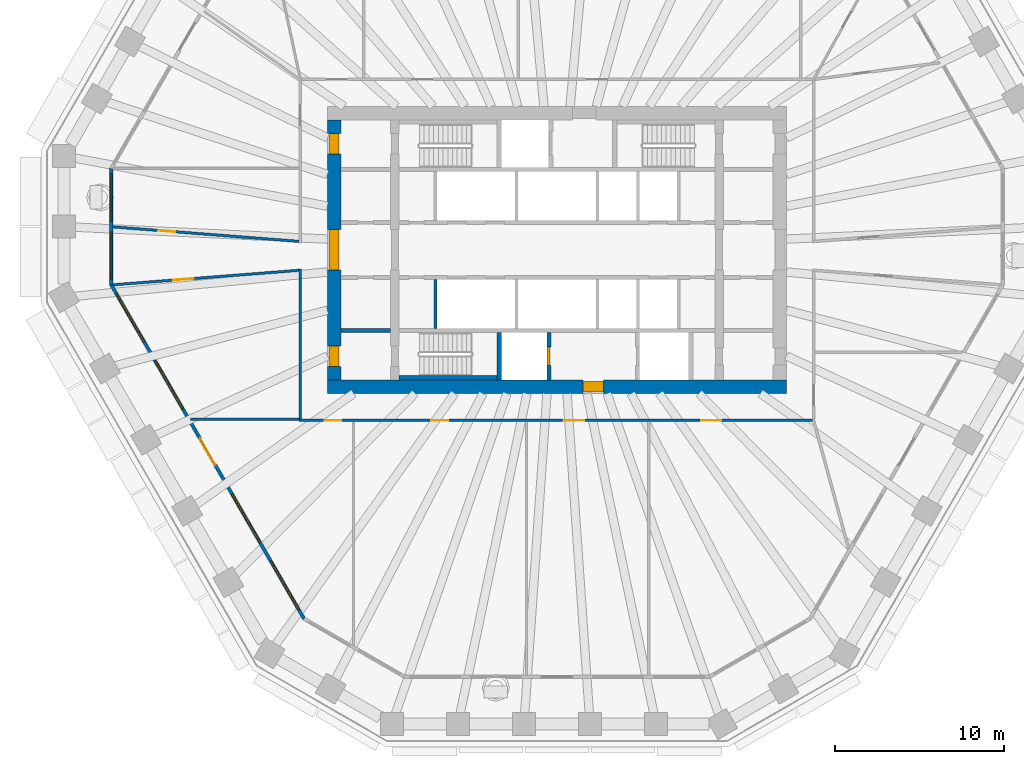
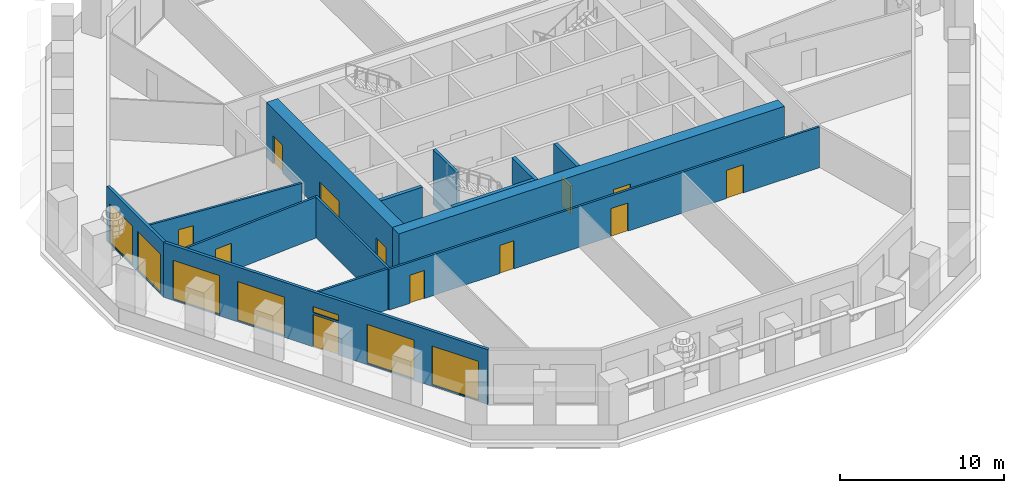
# One storey, part 3 of 12: 14 walls, 12 doors, 7 windows, 19 openings.
"""IFC4 building model written with IfcOpenShell, lengths in metres."""

from ifc_helpers import new_model, si_unit, direction, frame, frame_2d, origin, place, context, subcontext, project, spatial, polyline, rectangle, outline, extrude, material, layer, layer_set, type_object, element, fill, save


model = new_model("IFC4")

# Units and contexts
model_context = context("Model", 3, precision=1e-05, world=origin(), true_north=direction((0.0, 1.0)))
body_context = subcontext(model_context, "Body", "Model", "MODEL_VIEW")
ifc_project = project(units=[si_unit("LENGTHUNIT", "METRE"), si_unit("AREAUNIT", "SQUARE_METRE"), si_unit("VOLUMEUNIT", "CUBIC_METRE"), si_unit("PLANEANGLEUNIT", "RADIAN"), si_unit("MASSUNIT", "GRAM", prefix="KILO")], contexts=[model_context])

# Site, building, storey
site_placement = place(None, origin())
site = spatial("IfcSite", under=ifc_project, at=site_placement, CompositionType="ELEMENT")
building_placement = place(site_placement, origin())
building = spatial("IfcBuilding", under=site, at=building_placement, Name="Frailejon Research Tower", CompositionType="ELEMENT")
storey_placement = place(building_placement, frame((0.0, 0.0, 126.39990234375)))
storey = spatial("IfcBuildingStorey", under=building, at=storey_placement, Name="L27", CompositionType="ELEMENT", Elevation=126.39990234375)

# Wall, opening, door
ifc_material_1 = material(Name="Concrete C70/85", Category="concrete")
ifc_layer_1 = layer(ifc_material_1, 0.800048828125)
ifc_layer_set_1 = layer_set([ifc_layer_1], Name="Core shear wall 800 C70/85")
wall_type_1 = type_object("IfcWallType", Name="Core shear wall 800 C70/85", PredefinedType="SHEAR", material=ifc_layer_set_1)
wall_1_placement = place(storey_placement, frame((-13.60009765625, -8.10009765625, 0.0), z_axis=(0.0, 0.0, 1.0), x_axis=(1.0, 0.0, 0.0)))
wall_1 = element("IfcWall", 1, at=wall_1_placement, inside=storey, type_object=wall_type_1, Name="Core shear wall", PredefinedType="SHEAR", context=body_context, shape_type="SweptSolid", body=[
    extrude(rectangle(XDim=27.2001953125, YDim=0.800048828125, at=frame_2d((13.60009765625, 0.0))), origin(), (0.0, 0.0, 1.0), 4.10009765625),
])
opening_1_placement = place(wall_1_placement, frame((15.14990234375, 0.0, 0.0)))
opening_1 = element("IfcOpeningElement", 2, at=opening_1_placement, cuts=wall_1, Name="Opening D3", PredefinedType="OPENING", context=body_context, shape_type="SweptSolid", body=[
    extrude(rectangle(XDim=1.199951171875, YDim=2.10009765625, at=frame_2d((0.60009765625, 1.050048828125))), frame((0.0, 0.409912109375, 0.0), z_axis=(0.0, -1.0, 0.0), x_axis=(1.0, 0.0, 0.0)), (0.0, 0.0, 1.0), 0.820068359375),
])
ifc_material_2 = material(Name="Steel", Category="steel")
door_type_1 = type_object("IfcDoorType", Name="Firefighting lobby door", OperationType="SINGLE_SWING_LEFT", PredefinedType="DOOR", material=ifc_material_2)
door_1_placement = place(opening_1_placement, origin())
door_1 = element("IfcDoor", 3, at=door_1_placement, inside=storey, type_object=door_type_1, Name="Firefighting lobby door", OperationType="SINGLE_SWING_RIGHT", OverallHeight=2.10009765625, OverallWidth=1.199951171875, PredefinedType="DOOR", context=body_context, shape_type="SweptSolid", body=[
    extrude(rectangle(XDim=1.199951171875, YDim=2.10009765625, at=frame_2d((0.60009765625, 1.050048828125))), frame((0.0, 0.300048828125, 0.0), z_axis=(0.0, -1.0, 0.0), x_axis=(1.0, 0.0, 0.0)), (0.0, 0.0, 1.0), 0.60009765625),
])
fill(opening_1, door_1)

# Wall, openings, doors
wall_2_placement = place(storey_placement, frame((-13.199951171875, -7.699951171875, 0.0), z_axis=(0.0, 0.0, 1.0), x_axis=(0.0, 1.0, 0.0)))
wall_2 = element("IfcWall", 4, at=wall_2_placement, inside=storey, type_object=wall_type_1, Name="Core shear wall", PredefinedType="SHEAR", context=body_context, shape_type="SweptSolid", body=[
    extrude(rectangle(XDim=15.39990234375, YDim=0.800048828125, at=frame_2d((7.699951171875, 0.0))), origin(), (0.0, 0.0, 1.0), 4.10009765625),
])
opening_2_placement = place(wall_2_placement, frame((6.5, 0.0, 0.0)))
opening_2 = element("IfcOpeningElement", 5, at=opening_2_placement, cuts=wall_2, Name="Opening D2", PredefinedType="OPENING", context=body_context, shape_type="SweptSolid", body=[
    extrude(rectangle(XDim=2.39990234375, YDim=2.10009765625, at=frame_2d((1.199951171875, 1.050048828125))), frame((0.0, 0.409912109375, 0.0), z_axis=(0.0, -1.0, 0.0), x_axis=(1.0, 0.0, 0.0)), (0.0, 0.0, 1.0), 0.820068359375),
])
opening_3_placement = place(wall_2_placement, frame((13.39990234375, 0.0, 0.0)))
opening_3 = element("IfcOpeningElement", 6, at=opening_3_placement, cuts=wall_2, Name="Opening D7", PredefinedType="OPENING", context=body_context, shape_type="SweptSolid", body=[
    extrude(rectangle(XDim=1.199951171875, YDim=2.10009765625, at=frame_2d((0.60009765625, 1.050048828125))), frame((0.0, 0.409912109375, 0.0), z_axis=(0.0, -1.0, 0.0), x_axis=(1.0, 0.0, 0.0)), (0.0, 0.0, 1.0), 0.820068359375),
])
opening_4_placement = place(wall_2_placement, frame((0.800048828125, 0.0, 0.0)))
opening_4 = element("IfcOpeningElement", 7, at=opening_4_placement, cuts=wall_2, Name="Opening D7", PredefinedType="OPENING", context=body_context, shape_type="SweptSolid", body=[
    extrude(rectangle(XDim=1.199951171875, YDim=2.10009765625, at=frame_2d((0.60009765625, 1.050048828125))), frame((0.0, 0.409912109375, 0.0), z_axis=(0.0, -1.0, 0.0), x_axis=(1.0, 0.0, 0.0)), (0.0, 0.0, 1.0), 0.820068359375),
])
ifc_material_3 = material(Name="Steel", Category="steel")
door_type_2 = type_object("IfcDoorType", Name="Lobby double door", OperationType="DOUBLE_DOOR_SINGLE_SWING", PredefinedType="DOOR", material=ifc_material_3)
door_2_placement = place(opening_2_placement, origin())
door_2 = element("IfcDoor", 8, at=door_2_placement, inside=storey, type_object=door_type_2, Name="Lobby door", OperationType="DOUBLE_DOOR_SINGLE_SWING", OverallHeight=2.10009765625, OverallWidth=2.39990234375, PredefinedType="DOOR", context=body_context, shape_type="SweptSolid", body=[
    extrude(rectangle(XDim=2.39990234375, YDim=2.10009765625, at=frame_2d((1.199951171875, 1.050048828125))), frame((0.0, 0.300048828125, 0.0), z_axis=(0.0, -1.0, 0.0), x_axis=(1.0, 0.0, 0.0)), (0.0, 0.0, 1.0), 0.60009765625),
])
fill(opening_2, door_2)
ifc_material_4 = material(Name="Steel", Category="steel")
door_type_3 = type_object("IfcDoorType", Name="Stair exit door", OperationType="SINGLE_SWING_LEFT", PredefinedType="DOOR", material=ifc_material_4)
door_3_placement = place(opening_3_placement, origin())
door_3 = element("IfcDoor", 9, at=door_3_placement, inside=storey, type_object=door_type_3, Name="Stair exit door ST1", OperationType="SINGLE_SWING_LEFT", OverallHeight=2.10009765625, OverallWidth=1.199951171875, PredefinedType="DOOR", context=body_context, shape_type="SweptSolid", body=[
    extrude(rectangle(XDim=1.199951171875, YDim=2.10009765625, at=frame_2d((0.60009765625, 1.050048828125))), frame((0.0, 0.300048828125, 0.0), z_axis=(0.0, -1.0, 0.0), x_axis=(1.0, 0.0, 0.0)), (0.0, 0.0, 1.0), 0.60009765625),
])
fill(opening_3, door_3)
door_4_placement = place(opening_4_placement, origin())
door_4 = element("IfcDoor", 10, at=door_4_placement, inside=storey, type_object=door_type_3, Name="Stair exit door ST2", OperationType="SINGLE_SWING_LEFT", OverallHeight=2.10009765625, OverallWidth=1.199951171875, PredefinedType="DOOR", context=body_context, shape_type="SweptSolid", body=[
    extrude(rectangle(XDim=1.199951171875, YDim=2.10009765625, at=frame_2d((0.60009765625, 1.050048828125))), frame((0.0, 0.300048828125, 0.0), z_axis=(0.0, -1.0, 0.0), x_axis=(1.0, 0.0, 0.0)), (0.0, 0.0, 1.0), 0.60009765625),
])
fill(opening_4, door_4)

# Wall, opening, door
ifc_material_5 = material(Name="Gypsum board and masonry partition", Category="masonry")
ifc_layer_2 = layer(ifc_material_5, 0.14990234375)
ifc_layer_set_2 = layer_set([ifc_layer_2], Name="Corridor wall EI 60, gypsum on steel studs 150")
wall_type_2 = type_object("IfcWallType", Name="Corridor wall EI 60, gypsum on steel studs 150", PredefinedType="PARTITIONING", material=ifc_layer_set_2)
wall_3_placement = place(storey_placement, frame((-26.31103515625, 1.3671875, 0.0), z_axis=(0.0, 0.0, 1.0), x_axis=(0.996973369859, -0.077743808706, 0.0)))
wall_3 = element("IfcWall", 11, at=wall_3_placement, inside=storey, type_object=wall_type_2, Name="T:IW:L27:001", PredefinedType="PARTITIONING", context=body_context, shape_type="SweptSolid", body=[
    extrude(rectangle(XDim=11.069580078125, YDim=0.14990234375, at=frame_2d((5.53466796875, 0.0))), origin(), (0.0, 0.0, 1.0), 3.050048828125),
])
opening_5_placement = place(wall_3_placement, frame((2.711181640625, 0.0, 0.0)))
opening_5 = element("IfcOpeningElement", 12, at=opening_5_placement, cuts=wall_3, Name="Opening D1655", PredefinedType="OPENING", context=body_context, shape_type="SweptSolid", body=[
    extrude(rectangle(XDim=1.0, YDim=2.10009765625, at=frame_2d((0.5, 1.050048828125))), frame((0.0, 0.0849609375, 0.0), z_axis=(0.0, -1.0, 0.0), x_axis=(1.0, 0.0, 0.0)), (0.0, 0.0, 1.0), 0.169921875),
])
ifc_material_6 = material(Name="Timber door leaf", Category="wood")
door_type_4 = type_object("IfcDoorType", Name="Door single leaf, timber, steel frame 1000", OperationType="NOTDEFINED", PredefinedType="DOOR", material=ifc_material_6)
door_5_placement = place(opening_5_placement, origin())
door_5 = element("IfcDoor", 13, at=door_5_placement, inside=storey, type_object=door_type_4, Name="D1655", OperationType="SINGLE_SWING_LEFT", OverallHeight=2.10009765625, OverallWidth=1.0, PredefinedType="DOOR", context=body_context, shape_type="SweptSolid", body=[
    extrude(rectangle(XDim=1.0, YDim=2.10009765625, at=frame_2d((0.5, 1.050048828125))), frame((0.0, 0.02490234375, 0.0), z_axis=(0.0, -1.0, 0.0), x_axis=(1.0, 0.0, 0.0)), (0.0, 0.0, 1.0), 0.050048828125),
])
fill(opening_5, door_5)

wall_4_placement = place(storey_placement, frame((-26.290283203125, -2.064208984375, 0.0), z_axis=(0.0, 0.0, 1.0), x_axis=(0.99697229372, 0.077757607695, 0.0)))
wall_4 = element("IfcWall", 14, at=wall_4_placement, inside=storey, type_object=wall_type_2, Name="T:IW:L27:002", PredefinedType="PARTITIONING", context=body_context, shape_type="SweptSolid", body=[
    extrude(rectangle(XDim=11.048828125, YDim=0.14990234375, at=frame_2d((5.5244140625, 0.0))), origin(), (0.0, 0.0, 1.0), 3.050048828125),
])
opening_6_placement = place(wall_4_placement, frame((3.578369140625, 0.0, 0.0)))
opening_6 = element("IfcOpeningElement", 15, at=opening_6_placement, cuts=wall_4, Name="Opening D1656", PredefinedType="OPENING", context=body_context, shape_type="SweptSolid", body=[
    extrude(rectangle(XDim=1.199951171875, YDim=2.10009765625, at=frame_2d((0.60009765625, 1.050048828125))), frame((0.0, 0.0849609375, 0.0), z_axis=(0.0, -1.0, 0.0), x_axis=(1.0, 0.0, 0.0)), (0.0, 0.0, 1.0), 0.169921875),
])
ifc_material_7 = material(Name="Timber door leaf", Category="wood")
door_type_5 = type_object("IfcDoorType", Name="Door laboratory, timber, vision panel 1200", OperationType="NOTDEFINED", PredefinedType="DOOR", material=ifc_material_7)
door_6_placement = place(opening_6_placement, origin())
door_6 = element("IfcDoor", 16, at=door_6_placement, inside=storey, type_object=door_type_5, Name="D1656", OperationType="DOUBLE_DOOR_SINGLE_SWING", OverallHeight=2.10009765625, OverallWidth=1.199951171875, PredefinedType="DOOR", context=body_context, shape_type="SweptSolid", body=[
    extrude(rectangle(XDim=1.199951171875, YDim=2.10009765625, at=frame_2d((0.60009765625, 1.050048828125))), frame((0.0, 0.02490234375, 0.0), z_axis=(0.0, -1.0, 0.0), x_axis=(1.0, 0.0, 0.0)), (0.0, 0.0, 1.0), 0.050048828125),
])
fill(opening_6, door_6)

# Wall
wall_5_placement = place(storey_placement, frame((-15.199951171875, -10.02490234375, 0.0), z_axis=(0.0, 0.0, 1.0), x_axis=(0.0, 1.0, 0.0)))
element("IfcWall", 17, at=wall_5_placement, inside=storey, type_object=wall_type_2, Name="T:IW:L27:006", PredefinedType="PARTITIONING", context=body_context, shape_type="SweptSolid", body=[
    extrude(rectangle(XDim=8.900634765625, YDim=0.14990234375, at=frame_2d((4.4501953125, 0.0))), origin(), (0.0, 0.0, 1.0), 3.050048828125),
])

# Wall, openings, doors
wall_6_placement = place(storey_placement, frame((-15.27490234375, -10.10009765625, 0.0), z_axis=(0.0, 0.0, 1.0), x_axis=(1.0, 0.0, 0.0)))
wall_6 = element("IfcWall", 18, at=wall_6_placement, inside=storey, type_object=wall_type_2, Name="T:IW:L27:008", PredefinedType="PARTITIONING", context=body_context, shape_type="SweptSolid", body=[
    extrude(rectangle(XDim=30.39990234375, YDim=0.14990234375, at=frame_2d((15.199951171875, 0.0))), origin(), (0.0, 0.0, 1.0), 3.050048828125),
])
opening_7_placement = place(wall_6_placement, frame((1.50634765625, 0.0, 0.0)))
opening_7 = element("IfcOpeningElement", 19, at=opening_7_placement, cuts=wall_6, Name="Opening D1657", PredefinedType="OPENING", context=body_context, shape_type="SweptSolid", body=[
    extrude(rectangle(XDim=1.0, YDim=2.10009765625, at=frame_2d((0.5, 1.050048828125))), frame((0.0, 0.0849609375, 0.0), z_axis=(0.0, -1.0, 0.0), x_axis=(1.0, 0.0, 0.0)), (0.0, 0.0, 1.0), 0.169921875),
])
opening_8_placement = place(wall_6_placement, frame((7.840087890625, 0.0, 0.0)))
opening_8 = element("IfcOpeningElement", 20, at=opening_8_placement, cuts=wall_6, Name="Opening D1658", PredefinedType="OPENING", context=body_context, shape_type="SweptSolid", body=[
    extrude(rectangle(XDim=1.0, YDim=2.10009765625, at=frame_2d((0.5, 1.050048828125))), frame((0.0, 0.0849609375, 0.0), z_axis=(0.0, -1.0, 0.0), x_axis=(1.0, 0.0, 0.0)), (0.0, 0.0, 1.0), 0.169921875),
])
opening_9_placement = place(wall_6_placement, frame((15.6845703125, 0.0, 0.0)))
opening_9 = element("IfcOpeningElement", 21, at=opening_9_placement, cuts=wall_6, Name="Opening D1659", PredefinedType="OPENING", context=body_context, shape_type="SweptSolid", body=[
    extrude(rectangle(XDim=1.199951171875, YDim=2.10009765625, at=frame_2d((0.60009765625, 1.050048828125))), frame((0.0, 0.0849609375, 0.0), z_axis=(0.0, -1.0, 0.0), x_axis=(1.0, 0.0, 0.0)), (0.0, 0.0, 1.0), 0.169921875),
])
opening_10_placement = place(wall_6_placement, frame((23.8125, 0.0, 0.0)))
opening_10 = element("IfcOpeningElement", 22, at=opening_10_placement, cuts=wall_6, Name="Opening D1660", PredefinedType="OPENING", context=body_context, shape_type="SweptSolid", body=[
    extrude(rectangle(XDim=1.199951171875, YDim=2.10009765625, at=frame_2d((0.60009765625, 1.050048828125))), frame((0.0, 0.0849609375, 0.0), z_axis=(0.0, -1.0, 0.0), x_axis=(1.0, 0.0, 0.0)), (0.0, 0.0, 1.0), 0.169921875),
])
door_7_placement = place(opening_10_placement, origin())
door_7 = element("IfcDoor", 23, at=door_7_placement, inside=storey, type_object=door_type_5, Name="D1660", OperationType="DOUBLE_DOOR_SINGLE_SWING", OverallHeight=2.10009765625, OverallWidth=1.199951171875, PredefinedType="DOOR", context=body_context, shape_type="SweptSolid", body=[
    extrude(rectangle(XDim=1.199951171875, YDim=2.10009765625, at=frame_2d((0.60009765625, 1.050048828125))), frame((0.0, 0.02490234375, 0.0), z_axis=(0.0, -1.0, 0.0), x_axis=(1.0, 0.0, 0.0)), (0.0, 0.0, 1.0), 0.050048828125),
])
fill(opening_10, door_7)
door_8_placement = place(opening_7_placement, origin())
door_8 = element("IfcDoor", 24, at=door_8_placement, inside=storey, type_object=door_type_4, Name="D1657", OperationType="SINGLE_SWING_RIGHT", OverallHeight=2.10009765625, OverallWidth=1.0, PredefinedType="DOOR", context=body_context, shape_type="SweptSolid", body=[
    extrude(rectangle(XDim=1.0, YDim=2.10009765625, at=frame_2d((0.5, 1.050048828125))), frame((0.0, 0.02490234375, 0.0), z_axis=(0.0, -1.0, 0.0), x_axis=(1.0, 0.0, 0.0)), (0.0, 0.0, 1.0), 0.050048828125),
])
fill(opening_7, door_8)
door_9_placement = place(opening_8_placement, origin())
door_9 = element("IfcDoor", 25, at=door_9_placement, inside=storey, type_object=door_type_4, Name="D1658", OperationType="SINGLE_SWING_LEFT", OverallHeight=2.10009765625, OverallWidth=1.0, PredefinedType="DOOR", context=body_context, shape_type="SweptSolid", body=[
    extrude(rectangle(XDim=1.0, YDim=2.10009765625, at=frame_2d((0.5, 1.050048828125))), frame((0.0, 0.02490234375, 0.0), z_axis=(0.0, -1.0, 0.0), x_axis=(1.0, 0.0, 0.0)), (0.0, 0.0, 1.0), 0.050048828125),
])
fill(opening_8, door_9)
ifc_material_8 = material(Name="Timber door leaf", Category="wood")
door_type_6 = type_object("IfcDoorType", Name="Door single leaf, timber, steel frame 1200", OperationType="NOTDEFINED", PredefinedType="DOOR", material=ifc_material_8)
door_10_placement = place(opening_9_placement, origin())
door_10 = element("IfcDoor", 26, at=door_10_placement, inside=storey, type_object=door_type_6, Name="D1659", OperationType="DOUBLE_DOOR_SINGLE_SWING", OverallHeight=2.10009765625, OverallWidth=1.199951171875, PredefinedType="DOOR", context=body_context, shape_type="SweptSolid", body=[
    extrude(rectangle(XDim=1.199951171875, YDim=2.10009765625, at=frame_2d((0.60009765625, 1.050048828125))), frame((0.0, 0.02490234375, 0.0), z_axis=(0.0, -1.0, 0.0), x_axis=(1.0, 0.0, 0.0)), (0.0, 0.0, 1.0), 0.050048828125),
])
fill(opening_9, door_10)

# Walls
ifc_material_9 = material(Name="Gypsum board and masonry partition", Category="masonry")
ifc_layer_3 = layer(ifc_material_9, 0.14990234375)
ifc_layer_set_3 = layer_set([ifc_layer_3], Name="Laboratory partition, blockwork 150")
wall_type_3 = type_object("IfcWallType", Name="Laboratory partition, blockwork 150", PredefinedType="PARTITIONING", material=ifc_layer_set_3)
wall_7_placement = place(storey_placement, frame((-21.698974609375, -10.016357421875, 0.0), z_axis=(0.0, 0.0, 1.0), x_axis=(1.0, 0.0, 0.0)))
element("IfcWall", 27, at=wall_7_placement, inside=storey, type_object=wall_type_3, Name="T:IW:L27:015", PredefinedType="PARTITIONING", context=body_context, shape_type="SweptSolid", body=[
    extrude(rectangle(XDim=6.424072265625, YDim=0.14990234375, at=frame_2d((3.2119140625, 0.0))), origin(), (0.0, 0.0, 1.0), 3.050048828125),
])
ifc_material_10 = material(Name="Concrete C70/85", Category="concrete")
ifc_layer_4 = layer(ifc_material_10, 0.199951171875)
ifc_layer_set_4 = layer_set([ifc_layer_4], Name="Shaft wall 200 C70/85")
wall_type_4 = type_object("IfcWallType", Name="Shaft wall 200 C70/85", PredefinedType="SOLIDWALL", material=ifc_layer_set_4)
wall_8_placement = place(storey_placement, frame((-7.199951171875, -4.64990234375, 0.0), z_axis=(0.0, 0.0, 1.0), x_axis=(0.0, 1.0, 0.0)))
element("IfcWall", 28, at=wall_8_placement, inside=storey, type_object=wall_type_4, Name="Shaft wall", PredefinedType="SOLIDWALL", context=body_context, shape_type="SweptSolid", body=[
    extrude(rectangle(XDim=2.89990234375, YDim=0.199951171875, at=frame_2d((1.449951171875, 0.0))), origin(), (0.0, 0.0, 1.0), 4.10009765625),
])
ifc_material_11 = material(Name="Concrete C70/85", Category="concrete")
ifc_layer_5 = layer(ifc_material_11, 0.25)
ifc_layer_set_5 = layer_set([ifc_layer_5], Name="Shaft wall 250 C70/85")
wall_type_5 = type_object("IfcWallType", Name="Shaft wall 250 C70/85", PredefinedType="SOLIDWALL", material=ifc_layer_set_5)
wall_9_placement = place(storey_placement, frame((-12.800048828125, -4.77490234375, 0.0), z_axis=(0.0, 0.0, 1.0), x_axis=(1.0, 0.0, 0.0)))
element("IfcWall", 29, at=wall_9_placement, inside=storey, type_object=wall_type_5, Name="Shaft wall", PredefinedType="SOLIDWALL", context=body_context, shape_type="SweptSolid", body=[
    extrude(rectangle(XDim=2.949951171875, YDim=0.25, at=frame_2d((1.47509765625, 0.0))), origin(), (0.0, 0.0, 1.0), 4.10009765625),
])
wall_10_placement = place(storey_placement, frame((-9.35009765625, -7.574951171875, 0.0), z_axis=(0.0, 0.0, 1.0), x_axis=(1.0, 0.0, 0.0)))
element("IfcWall", 30, at=wall_10_placement, inside=storey, type_object=wall_type_5, Name="Shaft wall", PredefinedType="SOLIDWALL", context=body_context, shape_type="SweptSolid", body=[
    extrude(rectangle(XDim=5.800048828125, YDim=0.25, at=frame_2d((2.89990234375, 0.0))), origin(), (0.0, 0.0, 1.0), 4.10009765625),
])
wall_11_placement = place(storey_placement, frame((-3.425048828125, -7.699951171875, 0.0), z_axis=(0.0, 0.0, 1.0), x_axis=(0.0, 1.0, 0.0)))
element("IfcWall", 31, at=wall_11_placement, inside=storey, type_object=wall_type_5, Name="Shaft wall", PredefinedType="SOLIDWALL", context=body_context, shape_type="SweptSolid", body=[
    extrude(rectangle(XDim=2.800048828125, YDim=0.25, at=frame_2d((1.39990234375, 0.0))), origin(), (0.0, 0.0, 1.0), 4.10009765625),
])

# Wall, opening, door
wall_12_placement = place(storey_placement, frame((-0.47509765625, -7.699951171875, 0.0), z_axis=(0.0, 0.0, 1.0), x_axis=(0.0, 1.0, 0.0)))
wall_12 = element("IfcWall", 32, at=wall_12_placement, inside=storey, type_object=wall_type_5, Name="Shaft wall", PredefinedType="SOLIDWALL", context=body_context, shape_type="SweptSolid", body=[
    extrude(rectangle(XDim=2.800048828125, YDim=0.25, at=frame_2d((1.39990234375, 0.0))), origin(), (0.0, 0.0, 1.0), 4.10009765625),
])
opening_11_placement = place(wall_12_placement, frame((0.85009765625, 0.0, 0.0)))
opening_11 = element("IfcOpeningElement", 33, at=opening_11_placement, cuts=wall_12, Name="Opening LD", PredefinedType="OPENING", context=body_context, shape_type="SweptSolid", body=[
    extrude(rectangle(XDim=1.10009765625, YDim=2.10009765625, at=frame_2d((0.550048828125, 1.050048828125))), frame((0.0, 0.135009765625, 0.0), z_axis=(0.0, -1.0, 0.0), x_axis=(1.0, 0.0, 0.0)), (0.0, 0.0, 1.0), 0.27001953125),
])
ifc_material_12 = material(Name="Steel", Category="steel")
door_type_7 = type_object("IfcDoorType", Name="Lift landing door", OperationType="DOUBLE_DOOR_SLIDING", PredefinedType="DOOR", material=ifc_material_12)
door_11_placement = place(opening_11_placement, origin())
door_11 = element("IfcDoor", 34, at=door_11_placement, inside=storey, type_object=door_type_7, Name="Lift landing door", OperationType="DOUBLE_DOOR_SLIDING", OverallHeight=2.10009765625, OverallWidth=1.10009765625, PredefinedType="DOOR", context=body_context, shape_type="SweptSolid", body=[
    extrude(rectangle(XDim=1.10009765625, YDim=2.10009765625, at=frame_2d((0.550048828125, 1.050048828125))), frame((0.0, 0.074951171875, 0.0), z_axis=(0.0, -1.0, 0.0), x_axis=(1.0, 0.0, 0.0)), (0.0, 0.0, 1.0), 0.14990234375),
])
fill(opening_11, door_11)

# Wall, openings, windows
ifc_material_13 = material(Name="Concrete C40/50 precast window wall panel", Category="concrete")
ifc_layer_6 = layer(ifc_material_13, 0.199951171875)
ifc_layer_set_6 = layer_set([ifc_layer_6], Name="Window wall 200")
wall_type_6 = type_object("IfcWallType", Name="Window wall 200", PredefinedType="SOLIDWALL", material=ifc_layer_set_6)
wall_13_placement = place(storey_placement, frame((-26.4111328125, 4.820068359375, 0.0), z_axis=(0.0, 0.0, 1.0), x_axis=(0.0, -1.0, 0.0)))
wall_13 = element("IfcWall", 35, at=wall_13_placement, inside=storey, type_object=wall_type_6, Name="Exterior wall L27", PredefinedType="SOLIDWALL", context=body_context, shape_type="SweptSolid", body=[
    extrude(outline(polyline([(-0.02685546875, -0.10009765625), (1.1279296875, -0.10009765625), (2.28271484375, -0.10009765625), (3.4375, -0.10009765625), (4.592041015625, -0.10009765625), (5.746826171875, -0.10009765625), (6.901611328125, -0.10009765625), (6.847900390625, 0.10009765625), (5.7109375, 0.10009765625), (4.57421875, 0.10009765625), (3.4375, 0.10009765625), (2.300537109375, 0.10009765625), (1.16357421875, 0.10009765625), (0.02685546875, 0.10009765625), (-0.02685546875, -0.10009765625)])), origin(), (0.0, 0.0, 1.0), 4.10009765625),
])
opening_12_placement = place(wall_13_placement, frame((0.318603515625, 0.0, 0.10009765625)))
opening_12 = element("IfcOpeningElement", 36, at=opening_12_placement, cuts=wall_13, Name="Opening W3", PredefinedType="OPENING", context=body_context, shape_type="SweptSolid", body=[
    extrude(rectangle(XDim=2.800048828125, YDim=2.89990234375, at=frame_2d((1.39990234375, 1.449951171875))), frame((0.0, 0.10986328125, 0.0), z_axis=(0.0, -1.0, 0.0), x_axis=(1.0, 0.0, 0.0)), (0.0, 0.0, 1.0), 0.219970703125),
])
opening_13_placement = place(wall_13_placement, frame((3.756103515625, 0.0, 0.10009765625)))
opening_13 = element("IfcOpeningElement", 37, at=opening_13_placement, cuts=wall_13, Name="Opening W3", PredefinedType="OPENING", context=body_context, shape_type="SweptSolid", body=[
    extrude(rectangle(XDim=2.800048828125, YDim=2.89990234375, at=frame_2d((1.39990234375, 1.449951171875))), frame((0.0, 0.10986328125, 0.0), z_axis=(0.0, -1.0, 0.0), x_axis=(1.0, 0.0, 0.0)), (0.0, 0.0, 1.0), 0.219970703125),
])
ifc_material_14 = material(Name="Aluminium framed double glazing", Category="aluminium")
window_type_1 = type_object("IfcWindowType", Name="Window 2800x2900", PartitioningType="SINGLE_PANEL", PredefinedType="WINDOW", material=ifc_material_14)
window_1_placement = place(opening_12_placement, origin())
window_1 = element("IfcWindow", 38, at=window_1_placement, inside=storey, type_object=window_type_1, Name="Window L27", OverallHeight=2.89990234375, OverallWidth=2.800048828125, PartitioningType="SINGLE_PANEL", PredefinedType="WINDOW", context=body_context, shape_type="SweptSolid", body=[
    extrude(rectangle(XDim=2.800048828125, YDim=2.89990234375, at=frame_2d((1.39990234375, 1.449951171875))), frame((0.0, 0.030029296875, 0.0), z_axis=(0.0, -1.0, 0.0), x_axis=(1.0, 0.0, 0.0)), (0.0, 0.0, 1.0), 0.06005859375),
])
fill(opening_12, window_1)
window_2_placement = place(opening_13_placement, origin())
window_2 = element("IfcWindow", 39, at=window_2_placement, inside=storey, type_object=window_type_1, Name="Window L27", OverallHeight=2.89990234375, OverallWidth=2.800048828125, PartitioningType="SINGLE_PANEL", PredefinedType="WINDOW", context=body_context, shape_type="SweptSolid", body=[
    extrude(rectangle(XDim=2.800048828125, YDim=2.89990234375, at=frame_2d((1.39990234375, 1.449951171875))), frame((0.0, 0.030029296875, 0.0), z_axis=(0.0, -1.0, 0.0), x_axis=(1.0, 0.0, 0.0)), (0.0, 0.0, 1.0), 0.06005859375),
])
fill(opening_13, window_2)

# Wall, openings, door, windows
wall_14_placement = place(storey_placement, frame((-26.4111328125, -2.0546875, 0.0), z_axis=(0.0, 0.0, 1.0), x_axis=(0.50000204422, -0.86602422355, 0.0)))
wall_14 = element("IfcWall", 40, at=wall_14_placement, inside=storey, type_object=wall_type_6, Name="Exterior wall L27", PredefinedType="SOLIDWALL", context=body_context, shape_type="SweptSolid", body=[
    extrude(outline(polyline([(-0.02685546875, -0.10009765625), (1.014404296875, -0.10009765625), (2.055419921875, -0.10009765625), (3.0966796875, -0.10009765625), (4.137939453125, -0.10009765625), (5.17919921875, -0.10009765625), (6.22021484375, -0.10009765625), (7.261474609375, -0.10009765625), (8.302734375, -0.10009765625), (9.343994140625, -0.10009765625), (10.385009765625, -0.10009765625), (11.42626953125, -0.10009765625), (12.467529296875, -0.10009765625), (13.508544921875, -0.10009765625), (14.5498046875, -0.10009765625), (15.591064453125, -0.10009765625), (16.63232421875, -0.10009765625), (17.67333984375, -0.10009765625), (18.714599609375, -0.10009765625), (19.755859375, -0.10009765625), (20.797119140625, -0.10009765625), (21.838134765625, -0.10009765625), (22.87939453125, -0.10009765625), (22.82568359375, 0.10009765625), (21.789306640625, 0.10009765625), (20.753173828125, 0.10009765625), (19.716796875, 0.10009765625), (18.680419921875, 0.10009765625), (17.64404296875, 0.10009765625), (16.60791015625, 0.10009765625), (15.571533203125, 0.10009765625), (14.53515625, 0.10009765625), (13.498779296875, 0.10009765625), (12.462646484375, 0.10009765625), (11.42626953125, 0.10009765625), (10.389892578125, 0.10009765625), (9.353759765625, 0.10009765625), (8.3173828125, 0.10009765625), (7.281005859375, 0.10009765625), (6.24462890625, 0.10009765625), (5.20849609375, 0.10009765625), (4.172119140625, 0.10009765625), (3.1357421875, 0.10009765625), (2.099365234375, 0.10009765625), (1.063232421875, 0.10009765625), (0.02685546875, 0.10009765625), (-0.02685546875, -0.10009765625)])), origin(), (0.0, 0.0, 1.0), 4.10009765625),
])
opening_14_placement = place(wall_14_placement, frame((0.63525390625, 0.0, 0.10009765625)))
opening_14 = element("IfcOpeningElement", 41, at=opening_14_placement, cuts=wall_14, Name="Opening W5", PredefinedType="OPENING", context=body_context, shape_type="SweptSolid", body=[
    extrude(rectangle(XDim=3.300048828125, YDim=2.89990234375, at=frame_2d((1.64990234375, 1.449951171875))), frame((0.0, 0.10986328125, 0.0), z_axis=(0.0, -1.0, 0.0), x_axis=(1.0, 0.0, 0.0)), (0.0, 0.0, 1.0), 0.219970703125),
])
opening_15_placement = place(wall_14_placement, frame((5.205810546875, 0.0, 0.10009765625)))
opening_15 = element("IfcOpeningElement", 42, at=opening_15_placement, cuts=wall_14, Name="Opening W5", PredefinedType="OPENING", context=body_context, shape_type="SweptSolid", body=[
    extrude(rectangle(XDim=3.300048828125, YDim=2.89990234375, at=frame_2d((1.64990234375, 1.449951171875))), frame((0.0, 0.10986328125, 0.0), z_axis=(0.0, -1.0, 0.0), x_axis=(1.0, 0.0, 0.0)), (0.0, 0.0, 1.0), 0.219970703125),
])
opening_16_placement = place(wall_14_placement, frame((10.5263671875, 0.0, 0.0)))
opening_16 = element("IfcOpeningElement", 43, at=opening_16_placement, cuts=wall_14, Name="Opening LG27-4", PredefinedType="OPENING", context=body_context, shape_type="SweptSolid", body=[
    extrude(rectangle(XDim=1.800048828125, YDim=2.39990234375, at=frame_2d((0.89990234375, 1.199951171875))), frame((0.0, 0.10986328125, 0.0), z_axis=(0.0, -1.0, 0.0), x_axis=(1.0, 0.0, 0.0)), (0.0, 0.0, 1.0), 0.219970703125),
])
opening_17_placement = place(wall_14_placement, frame((10.5263671875, 0.0, 2.550048828125)))
opening_17 = element("IfcOpeningElement", 44, at=opening_17_placement, cuts=wall_14, Name="Opening W1", PredefinedType="OPENING", context=body_context, shape_type="SweptSolid", body=[
    extrude(rectangle(XDim=1.800048828125, YDim=0.449951171875, at=frame_2d((0.89990234375, 0.22509765625))), frame((0.0, 0.10986328125, 0.0), z_axis=(0.0, -1.0, 0.0), x_axis=(1.0, 0.0, 0.0)), (0.0, 0.0, 1.0), 0.219970703125),
])
opening_18_placement = place(wall_14_placement, frame((14.3466796875, 0.0, 0.10009765625)))
opening_18 = element("IfcOpeningElement", 45, at=opening_18_placement, cuts=wall_14, Name="Opening W5", PredefinedType="OPENING", context=body_context, shape_type="SweptSolid", body=[
    extrude(rectangle(XDim=3.300048828125, YDim=2.89990234375, at=frame_2d((1.64990234375, 1.449951171875))), frame((0.0, 0.10986328125, 0.0), z_axis=(0.0, -1.0, 0.0), x_axis=(1.0, 0.0, 0.0)), (0.0, 0.0, 1.0), 0.219970703125),
])
opening_19_placement = place(wall_14_placement, frame((18.917236328125, 0.0, 0.10009765625)))
opening_19 = element("IfcOpeningElement", 46, at=opening_19_placement, cuts=wall_14, Name="Opening W5", PredefinedType="OPENING", context=body_context, shape_type="SweptSolid", body=[
    extrude(rectangle(XDim=3.300048828125, YDim=2.89990234375, at=frame_2d((1.64990234375, 1.449951171875))), frame((0.0, 0.10986328125, 0.0), z_axis=(0.0, -1.0, 0.0), x_axis=(1.0, 0.0, 0.0)), (0.0, 0.0, 1.0), 0.219970703125),
])
ifc_material_15 = material(Name="Aluminium framed glazed door leaf", Category="aluminium")
door_type_8 = type_object("IfcDoorType", Name="Loggia door 1800x2400", OperationType="DOUBLE_DOOR_SINGLE_SWING", PredefinedType="DOOR", material=ifc_material_15)
door_12_placement = place(opening_16_placement, origin())
door_12 = element("IfcDoor", 47, at=door_12_placement, inside=storey, type_object=door_type_8, Name="Door LG27-4", OperationType="DOUBLE_DOOR_SINGLE_SWING", OverallHeight=2.39990234375, OverallWidth=1.800048828125, PredefinedType="DOOR", context=body_context, shape_type="SweptSolid", body=[
    extrude(rectangle(XDim=1.800048828125, YDim=2.39990234375, at=frame_2d((0.89990234375, 1.199951171875))), frame((0.0, 0.02490234375, 0.0), z_axis=(0.0, -1.0, 0.0), x_axis=(1.0, 0.0, 0.0)), (0.0, 0.0, 1.0), 0.050048828125),
])
fill(opening_16, door_12)
ifc_material_16 = material(Name="Aluminium framed double glazing", Category="aluminium")
window_type_2 = type_object("IfcWindowType", Name="Window 1800x450", PartitioningType="SINGLE_PANEL", PredefinedType="WINDOW", material=ifc_material_16)
window_3_placement = place(opening_17_placement, origin())
window_3 = element("IfcWindow", 48, at=window_3_placement, inside=storey, type_object=window_type_2, Name="Window L27", OverallHeight=0.449951171875, OverallWidth=1.800048828125, PartitioningType="SINGLE_PANEL", PredefinedType="WINDOW", context=body_context, shape_type="SweptSolid", body=[
    extrude(rectangle(XDim=1.800048828125, YDim=0.449951171875, at=frame_2d((0.89990234375, 0.22509765625))), frame((0.0, 0.030029296875, 0.0), z_axis=(0.0, -1.0, 0.0), x_axis=(1.0, 0.0, 0.0)), (0.0, 0.0, 1.0), 0.06005859375),
])
fill(opening_17, window_3)
ifc_material_17 = material(Name="Aluminium framed double glazing", Category="aluminium")
window_type_3 = type_object("IfcWindowType", Name="Window 3300x2900", PartitioningType="SINGLE_PANEL", PredefinedType="WINDOW", material=ifc_material_17)
window_4_placement = place(opening_14_placement, origin())
window_4 = element("IfcWindow", 49, at=window_4_placement, inside=storey, type_object=window_type_3, Name="Window L27", OverallHeight=2.89990234375, OverallWidth=3.300048828125, PartitioningType="SINGLE_PANEL", PredefinedType="WINDOW", context=body_context, shape_type="SweptSolid", body=[
    extrude(rectangle(XDim=3.300048828125, YDim=2.89990234375, at=frame_2d((1.64990234375, 1.449951171875))), frame((0.0, 0.030029296875, 0.0), z_axis=(0.0, -1.0, 0.0), x_axis=(1.0, 0.0, 0.0)), (0.0, 0.0, 1.0), 0.06005859375),
])
fill(opening_14, window_4)
window_5_placement = place(opening_15_placement, origin())
window_5 = element("IfcWindow", 50, at=window_5_placement, inside=storey, type_object=window_type_3, Name="Window L27", OverallHeight=2.89990234375, OverallWidth=3.300048828125, PartitioningType="SINGLE_PANEL", PredefinedType="WINDOW", context=body_context, shape_type="SweptSolid", body=[
    extrude(rectangle(XDim=3.300048828125, YDim=2.89990234375, at=frame_2d((1.64990234375, 1.449951171875))), frame((0.0, 0.030029296875, 0.0), z_axis=(0.0, -1.0, 0.0), x_axis=(1.0, 0.0, 0.0)), (0.0, 0.0, 1.0), 0.06005859375),
])
fill(opening_15, window_5)
window_6_placement = place(opening_18_placement, origin())
window_6 = element("IfcWindow", 51, at=window_6_placement, inside=storey, type_object=window_type_3, Name="Window L27", OverallHeight=2.89990234375, OverallWidth=3.300048828125, PartitioningType="SINGLE_PANEL", PredefinedType="WINDOW", context=body_context, shape_type="SweptSolid", body=[
    extrude(rectangle(XDim=3.300048828125, YDim=2.89990234375, at=frame_2d((1.64990234375, 1.449951171875))), frame((0.0, 0.030029296875, 0.0), z_axis=(0.0, -1.0, 0.0), x_axis=(1.0, 0.0, 0.0)), (0.0, 0.0, 1.0), 0.06005859375),
])
fill(opening_18, window_6)
window_7_placement = place(opening_19_placement, origin())
window_7 = element("IfcWindow", 52, at=window_7_placement, inside=storey, type_object=window_type_3, Name="Window L27", OverallHeight=2.89990234375, OverallWidth=3.300048828125, PartitioningType="SINGLE_PANEL", PredefinedType="WINDOW", context=body_context, shape_type="SweptSolid", body=[
    extrude(rectangle(XDim=3.300048828125, YDim=2.89990234375, at=frame_2d((1.64990234375, 1.449951171875))), frame((0.0, 0.030029296875, 0.0), z_axis=(0.0, -1.0, 0.0), x_axis=(1.0, 0.0, 0.0)), (0.0, 0.0, 1.0), 0.06005859375),
])
fill(opening_19, window_7)

save(model, "model.ifc")
